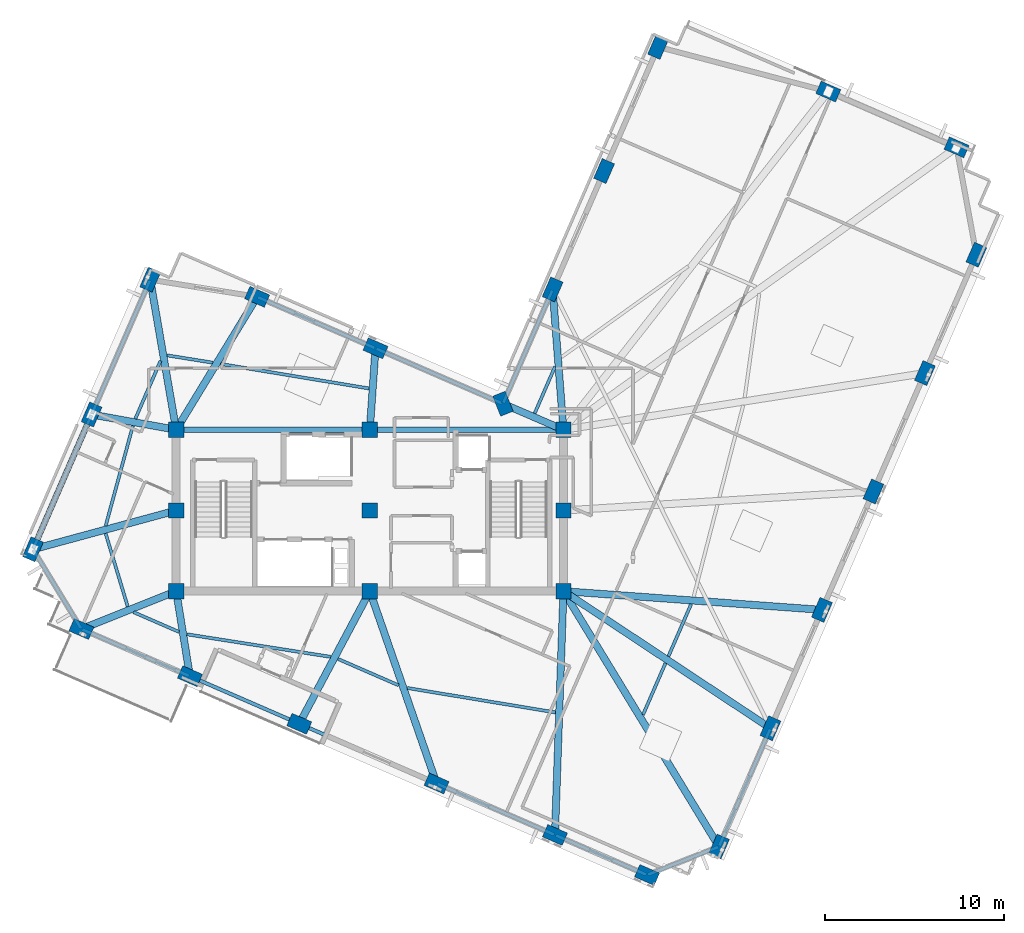
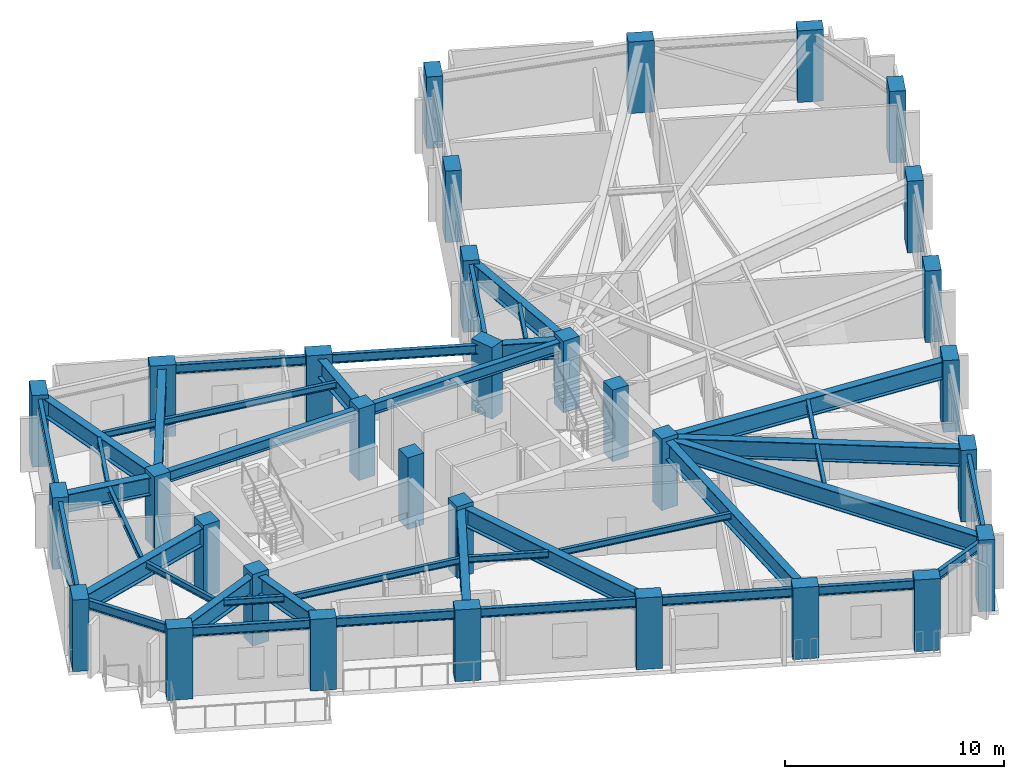
# One storey, part 1 of 12: 42 beams, 32 columns, 1 member.
"""IFC4 building model written with IfcOpenShell, lengths in metres."""

from ifc_helpers import new_model, si_unit, direction, frame, origin, origin_2d, place, context, subcontext, project, spatial, rectangle, hollow_circle, i_section, extrude, material, material_profile, profile_set, type_object, element, save


model = new_model("IFC4")

# Units and contexts
model_context = context("Model", 3, precision=1e-05, world=origin(), true_north=direction((0.0, 1.0)))
body_context = subcontext(model_context, "Body", "Model", "MODEL_VIEW")
ifc_project = project(units=[si_unit("LENGTHUNIT", "METRE"), si_unit("AREAUNIT", "SQUARE_METRE"), si_unit("VOLUMEUNIT", "CUBIC_METRE"), si_unit("PLANEANGLEUNIT", "RADIAN"), si_unit("MASSUNIT", "GRAM", prefix="KILO")], contexts=[model_context])

# Site, building, storey
site_placement = place(None, origin())
site = spatial("IfcSite", under=ifc_project, at=site_placement, CompositionType="ELEMENT")
building_placement = place(site_placement, origin())
building = spatial("IfcBuilding", under=site, at=building_placement, Name="Gaonmaruhae Medical Tower", CompositionType="ELEMENT")
storey_placement = place(building_placement, frame((0.0, 0.0, 316.60009765625)))
storey = spatial("IfcBuildingStorey", under=building, at=storey_placement, Name="L76", CompositionType="ELEMENT", Elevation=316.60009765625)

# Columns
ifc_material_1 = material(Name="Concrete C50/60", Category="concrete")
ifc_material_profile_1 = material_profile(ifc_material_1, rectangle(XDim=0.85009765625, YDim=0.85009765625, at=origin_2d()), Name="RC-850x850")
ifc_profile_set_1 = profile_set([ifc_material_profile_1], Name="Concrete C50/60")
column_type_1 = type_object("IfcColumnType", Name="CC-06 Upper Core Column (RC-850x850)", PredefinedType="COLUMN", material=ifc_profile_set_1)
for number, where, z_axis, x_axis, name in (
    (1, (14.0, 7.800048828125, 0.0), (0.0, 0.0, 1.0), (1.0, 0.0, 0.0), "L76 Plumb Core Column CC11"),
    (2, (14.0, 12.300048828125, 0.0), (0.0, 0.0, 1.0), (1.0, 0.0, 0.0), "L76 Plumb Core Column CC12"),
    (3, (14.0, 16.800048828125, 0.0), (0.0, 0.0, 1.0), (1.0, 0.0, 0.0), "L76 Plumb Core Column CC13"),
    (4, (24.800048828125, 7.800048828125, 0.0), (0.0, 0.0, 1.0), (1.0, 0.0, 0.0), "L76 Plumb Core Column CC21"),
    (5, (24.800048828125, 12.300048828125, 0.0), (0.0, 0.0, 1.0), (1.0, 0.0, 0.0), "L76 Plumb Core Column CC22"),
    (6, (24.800048828125, 16.800048828125, 0.0), (0.0, 0.0, 1.0), (1.0, 0.0, 0.0), "L76 Plumb Core Column CC23"),
    (7, (35.60009765625, 7.800048828125, 0.0), (0.0, 0.0, 1.0), (1.0, 0.0, 0.0), "L76 Plumb Core Column CC31"),
    (8, (35.60009765625, 12.300048828125, 0.0), (0.0, 0.0, 1.0), (1.0, 0.0, 0.0), "L76 Plumb Core Column CC32"),
    (9, (35.60009765625, 16.800048828125, 0.0), (0.0, 0.0, 1.0), (1.0, 0.0, 0.0), "L76 Plumb Core Column CC33"),
):
    element("IfcColumn", number, at=place(storey_placement, frame(where, z_axis=z_axis, x_axis=x_axis)), inside=storey, type_object=column_type_1, Name=name, PredefinedType="COLUMN", context=body_context, shape_type="SweptSolid", body=[
        extrude(rectangle(XDim=0.85009765625, YDim=0.85009765625, at=origin_2d()), origin(), (0.0, 0.0, 1.0), 4.0),
    ])
ifc_material_profile_2 = material_profile(ifc_material_1, rectangle(XDim=1.199951171875, YDim=0.75, at=origin_2d()), Name="RC-1200x750")
ifc_profile_set_2 = profile_set([ifc_material_profile_2], Name="Concrete C50/60")
column_type_2 = type_object("IfcColumnType", Name="TC-03 Upper Raking Tube Pier Column (RC-1200x750)", PredefinedType="COLUMN", material=ifc_profile_set_2)
for number, where, z_axis, x_axis, name in (
    (10, (44.275146484375, -6.448486328125, 0.001708984375), (0.0, 0.0, 1.0), (0.398749068925, 0.917060074385, 0.0), "L76 Perimeter Tube Column S01"),
    (11, (47.14599609375, 0.154296875, 0.001708984375), (0.0, 0.0, 1.0), (0.398749068925, 0.917060074385, 0.0), "L76 Perimeter Tube Column S02"),
    (12, (50.01708984375, 6.75732421875, 0.001708984375), (0.0, 0.0, 1.0), (0.398749068925, 0.917060074385, 0.0), "L76 Perimeter Tube Column S03"),
    (13, (52.88818359375, 13.360107421875, 0.001708984375), (0.0, 0.0, 1.0), (0.398749068925, 0.917060074385, 0.0), "L76 Perimeter Tube Column S04"),
    (14, (55.759033203125, 19.962890625, 0.001708984375), (0.0, 0.0, 1.0), (0.398749068925, 0.917060074385, 0.0), "L76 Perimeter Tube Column S05"),
    (15, (58.630126953125, 26.565673828125, 0.001708984375), (0.0, 0.0, 1.0), (0.398749068925, 0.917060074385, 0.0), "L76 Perimeter Tube Column S06"),
    (16, (57.525634765625, 32.552734375, 0.001708984375), (0.0, 0.0, 1.0), (-0.917060074385, 0.398749068925, 0.0), "L76 Perimeter Tube Column E01"),
    (17, (50.372802734375, 35.662841796875, 0.001708984375), (0.0, 0.0, 1.0), (-0.917060074385, 0.398749068925, 0.0), "L76 Perimeter Tube Column E02"),
    (18, (40.879150390625, 38.155029296875, 0.001708984375), (0.0, 0.0, 1.0), (0.398749068925, 0.917060074385, 0.0), "L76 Perimeter Tube Column E03"),
    (19, (37.868408203125, 31.2314453125, 0.001708984375), (0.0, 0.0, 1.0), (0.398749068925, 0.917060074385, 0.0), "L76 Perimeter Tube Column EN01"),
    (20, (34.99755859375, 24.62841796875, 0.001708984375), (0.0, 0.0, 1.0), (0.398749068925, 0.917060074385, 0.0), "L76 Perimeter Tube Column EN02"),
    (21, (32.226318359375, 18.2548828125, 0.001708984375), (0.0, 0.0, 1.0), (-0.366501226724, 0.930417567982, 0.0), "L76 Perimeter Tube Column KN01"),
    (22, (25.118896484375, 21.34521484375, 0.001708984375), (0.0, 0.0, 1.0), (-0.917060074385, 0.398749068925, 0.0), "L76 Perimeter Tube Column NE01"),
    (23, (18.51611328125, 24.21630859375, 0.001708984375), (0.0, 0.0, 1.0), (-0.917060074385, 0.398749068925, 0.0), "L76 Perimeter Tube Column NE02"),
    (24, (12.55322265625, 25.17333984375, 0.001708984375), (0.0, 0.0, 1.0), (0.398749068925, 0.917060074385, 0.0), "L76 Perimeter Tube Column N01"),
    (25, (9.283447265625, 17.653564453125, 0.001708984375), (0.0, 0.0, 1.0), (0.398749068925, 0.917060074385, 0.0), "L76 Perimeter Tube Column N02"),
    (26, (6.013671875, 10.133544921875, 0.001708984375), (0.0, 0.0, 1.0), (0.398749068925, 0.917060074385, 0.0), "L76 Perimeter Tube Column N03"),
    (27, (8.715087890625, 5.687744140625, 0.001708984375), (0.0, 0.0, 1.0), (-0.917060074385, 0.398749068925, 0.0), "L76 Perimeter Tube Column W01"),
    (28, (14.767578125, 3.055908203125, 0.001708984375), (0.0, 0.0, 1.0), (-0.917060074385, 0.398749068925, 0.0), "L76 Perimeter Tube Column W02"),
    (29, (20.865966796875, 0.404296875, 0.001708984375), (0.0, 0.0, 1.0), (-0.917060074385, 0.398749068925, 0.0), "L76 Perimeter Tube Column W03"),
    (30, (28.5234375, -2.92529296875, 0.001708984375), (0.0, 0.0, 1.0), (-0.917060074385, 0.398749068925, 0.0), "L76 Perimeter Tube Column W04"),
    (31, (35.12646484375, -5.79638671875, 0.001708984375), (0.0, 0.0, 1.0), (-0.917060074385, 0.398749068925, 0.0), "L76 Perimeter Tube Column W05"),
    (32, (40.261962890625, -8.029296875, 0.001708984375), (0.0, 0.0, 1.0), (-0.917060074385, 0.398749068925, 0.0), "L76 Perimeter Tube Column W06"),
):
    element("IfcColumn", number, at=place(storey_placement, frame(where, z_axis=z_axis, x_axis=x_axis)), inside=storey, type_object=column_type_2, Name=name, PredefinedType="COLUMN", context=body_context, shape_type="SweptSolid", body=[
        extrude(rectangle(XDim=1.199951171875, YDim=0.75, at=origin_2d()), origin(), (0.0, 0.0, 1.0), 3.996337890625),
    ])

# Beams
ifc_material_2 = material(Name="Steel SM420", Category="steel")
ifc_material_profile_3 = material_profile(ifc_material_2, i_section(OverallWidth=0.39990234375, OverallDepth=1.0, WebThickness=0.02197265625, FlangeThickness=0.035888671875, at=origin_2d()), Name="BH-1000x400x22x36")
ifc_profile_set_3 = profile_set([ifc_material_profile_3], Name="Steel SM420")
beam_type_1 = type_object("IfcBeamType", Name="BG-02 Refuge Floor Primary Girder (BH-1000x400x22x36)", PredefinedType="BEAM", material=ifc_profile_set_3)
beam_1_placement = place(storey_placement, frame((35.6259765625, 7.75732421875, 3.27978515625), z_axis=(0.520036625826, -0.854143961988, 0.0), x_axis=(0.854143961988, 0.520036625826, 0.0)))
element("IfcBeam", 33, at=beam_1_placement, inside=storey, type_object=beam_type_1, Name="L76 Radial Primary Girder S01", PredefinedType="BEAM", context=body_context, shape_type="SweptSolid", body=[
    extrude(i_section(OverallWidth=0.39990234375, OverallDepth=1.0, WebThickness=0.02197265625, FlangeThickness=0.035888671875, at=origin_2d()), origin(), (0.0, 0.0, 1.0), 16.58154296875),
])
beam_2_placement = place(storey_placement, frame((35.6416015625, 7.7724609375, 3.27978515625), z_axis=(0.833770161097, -0.552111690208, 0.0), x_axis=(0.552111690208, 0.833770161097, 0.0)))
element("IfcBeam", 34, at=beam_2_placement, inside=storey, type_object=beam_type_1, Name="L76 Radial Primary Girder S02", PredefinedType="BEAM", context=body_context, shape_type="SweptSolid", body=[
    extrude(i_section(OverallWidth=0.39990234375, OverallDepth=1.0, WebThickness=0.02197265625, FlangeThickness=0.035888671875, at=origin_2d()), origin(), (0.0, 0.0, 1.0), 13.748291015625),
])
beam_3_placement = place(storey_placement, frame((35.64990234375, 7.79638671875, 3.260009765625), z_axis=(0.997394062708, -0.072146265841, 0.0), x_axis=(0.072146265841, 0.997394062708, 0.0)))
element("IfcBeam", 35, at=beam_3_placement, inside=storey, type_object=beam_type_1, Name="L76 Radial Primary Girder S03", PredefinedType="BEAM", context=body_context, shape_type="SweptSolid", body=[
    extrude(i_section(OverallWidth=0.39990234375, OverallDepth=1.0, WebThickness=0.02197265625, FlangeThickness=0.035888671875, at=origin_2d()), origin(), (0.0, 0.0, 1.0), 14.354736328125),
])
beam_4_placement = place(storey_placement, frame((35.59619140625, 16.849853515625, 3.27978515625), z_axis=(-0.076722992115, 0.997052447207, 0.0), x_axis=(-0.997052447207, -0.076722992115, 0.0)))
element("IfcBeam", 36, at=beam_4_placement, inside=storey, type_object=beam_type_1, Name="L76 Radial Primary Girder EN02", PredefinedType="BEAM", context=body_context, shape_type="SweptSolid", body=[
    extrude(i_section(OverallWidth=0.39990234375, OverallDepth=1.0, WebThickness=0.02197265625, FlangeThickness=0.035888671875, at=origin_2d()), origin(), (0.0, 0.0, 1.0), 7.751708984375),
])
beam_5_placement = place(storey_placement, frame((35.55419921875, 16.81982421875, 3.27978515625), z_axis=(-0.918259431029, 0.395979314266, 0.0), x_axis=(-0.395979314266, -0.918259431029, 0.0)))
element("IfcBeam", 37, at=beam_5_placement, inside=storey, type_object=beam_type_1, Name="L76 Radial Primary Girder KN01", PredefinedType="BEAM", context=body_context, shape_type="SweptSolid", body=[
    extrude(i_section(OverallWidth=0.39990234375, OverallDepth=1.0, WebThickness=0.02197265625, FlangeThickness=0.035888671875, at=origin_2d()), origin(), (0.0, 0.0, 1.0), 3.57421875),
])
beam_6_placement = place(storey_placement, frame((24.803466796875, 16.849853515625, 3.27978515625), z_axis=(0.070012845455, 0.997546089898, 0.0), x_axis=(-0.997546089898, 0.070012845455, 0.0)))
element("IfcBeam", 38, at=beam_6_placement, inside=storey, type_object=beam_type_1, Name="L76 Radial Primary Girder NE01", PredefinedType="BEAM", context=body_context, shape_type="SweptSolid", body=[
    extrude(i_section(OverallWidth=0.39990234375, OverallDepth=1.0, WebThickness=0.02197265625, FlangeThickness=0.035888671875, at=origin_2d()), origin(), (0.0, 0.0, 1.0), 4.45654296875),
])
beam_7_placement = place(storey_placement, frame((14.026123046875, 16.8427734375, 3.27978515625), z_axis=(0.520106658264, 0.854101319534, 0.0), x_axis=(-0.854101319534, 0.520106658264, 0.0)))
element("IfcBeam", 39, at=beam_7_placement, inside=storey, type_object=beam_type_1, Name="L76 Radial Primary Girder NE02", PredefinedType="BEAM", context=body_context, shape_type="SweptSolid", body=[
    extrude(i_section(OverallWidth=0.39990234375, OverallDepth=1.0, WebThickness=0.02197265625, FlangeThickness=0.035888671875, at=origin_2d()), origin(), (0.0, 0.0, 1.0), 8.5830078125),
])
beam_8_placement = place(storey_placement, frame((13.991455078125, 16.849365234375, 3.27978515625), z_axis=(-0.170256429826, 0.985399791, 0.0), x_axis=(-0.985399791, -0.170256429826, 0.0)))
element("IfcBeam", 40, at=beam_8_placement, inside=storey, type_object=beam_type_1, Name="L76 Radial Primary Girder N01", PredefinedType="BEAM", context=body_context, shape_type="SweptSolid", body=[
    extrude(i_section(OverallWidth=0.39990234375, OverallDepth=1.0, WebThickness=0.02197265625, FlangeThickness=0.035888671875, at=origin_2d()), origin(), (0.0, 0.0, 1.0), 8.397216796875),
])
beam_9_placement = place(storey_placement, frame((13.95068359375, 16.808837890625, 3.27978515625), z_axis=(-0.984016905829, 0.17807506575, 0.0), x_axis=(-0.17807506575, -0.984016905829, 0.0)))
element("IfcBeam", 41, at=beam_9_placement, inside=storey, type_object=beam_type_1, Name="L76 Radial Primary Girder N02", PredefinedType="BEAM", context=body_context, shape_type="SweptSolid", body=[
    extrude(i_section(OverallWidth=0.39990234375, OverallDepth=1.0, WebThickness=0.02197265625, FlangeThickness=0.035888671875, at=origin_2d()), origin(), (0.0, 0.0, 1.0), 4.69287109375),
])
beam_10_placement = place(storey_placement, frame((13.95166015625, 12.286865234375, 3.27978515625), z_axis=(-0.965122679795, -0.261798038467, 0.0), x_axis=(0.261798038467, -0.965122679795, 0.0)))
element("IfcBeam", 42, at=beam_10_placement, inside=storey, type_object=beam_type_1, Name="L76 Radial Primary Girder N03", PredefinedType="BEAM", context=body_context, shape_type="SweptSolid", body=[
    extrude(i_section(OverallWidth=0.39990234375, OverallDepth=1.0, WebThickness=0.02197265625, FlangeThickness=0.035888671875, at=origin_2d()), origin(), (0.0, 0.0, 1.0), 8.1748046875),
])
beam_11_placement = place(storey_placement, frame((13.95361328125, 7.781494140625, 3.27978515625), z_axis=(-0.928579037594, -0.371134707272, 0.0), x_axis=(0.371134707272, -0.928579037594, 0.0)))
element("IfcBeam", 43, at=beam_11_placement, inside=storey, type_object=beam_type_1, Name="L76 Radial Primary Girder W01", PredefinedType="BEAM", context=body_context, shape_type="SweptSolid", body=[
    extrude(i_section(OverallWidth=0.39990234375, OverallDepth=1.0, WebThickness=0.02197265625, FlangeThickness=0.035888671875, at=origin_2d()), origin(), (0.0, 0.0, 1.0), 5.591552734375),
])
beam_12_placement = place(storey_placement, frame((14.008056640625, 7.750732421875, 3.27978515625), z_axis=(0.159685869984, -0.987167879809, 0.0), x_axis=(0.987167879809, 0.159685869984, 0.0)))
element("IfcBeam", 44, at=beam_12_placement, inside=storey, type_object=beam_type_1, Name="L76 Radial Primary Girder W02", PredefinedType="BEAM", context=body_context, shape_type="SweptSolid", body=[
    extrude(i_section(OverallWidth=0.39990234375, OverallDepth=1.0, WebThickness=0.02197265625, FlangeThickness=0.035888671875, at=origin_2d()), origin(), (0.0, 0.0, 1.0), 4.705810546875),
])
beam_13_placement = place(storey_placement, frame((24.776611328125, 7.755859375, 3.27978515625), z_axis=(-0.469618843189, -0.882869266722, 0.0), x_axis=(0.882869266722, -0.469618843189, 0.0)))
element("IfcBeam", 45, at=beam_13_placement, inside=storey, type_object=beam_type_1, Name="L76 Radial Primary Girder W03", PredefinedType="BEAM", context=body_context, shape_type="SweptSolid", body=[
    extrude(i_section(OverallWidth=0.39990234375, OverallDepth=1.0, WebThickness=0.02197265625, FlangeThickness=0.035888671875, at=origin_2d()), origin(), (0.0, 0.0, 1.0), 8.27685546875),
])
beam_14_placement = place(storey_placement, frame((24.81640625, 7.752685546875, 3.27978515625), z_axis=(0.327964362011, -0.944690095878, 0.0), x_axis=(0.944690095878, 0.327964362011, 0.0)))
element("IfcBeam", 46, at=beam_14_placement, inside=storey, type_object=beam_type_1, Name="L76 Radial Primary Girder W04", PredefinedType="BEAM", context=body_context, shape_type="SweptSolid", body=[
    extrude(i_section(OverallWidth=0.39990234375, OverallDepth=1.0, WebThickness=0.02197265625, FlangeThickness=0.035888671875, at=origin_2d()), origin(), (0.0, 0.0, 1.0), 11.253173828125),
])
beam_15_placement = place(storey_placement, frame((35.59814453125, 7.75, 3.27978515625), z_axis=(-0.034800997703, -0.99939426182, 0.0), x_axis=(0.99939426182, -0.034800997703, 0.0)))
element("IfcBeam", 47, at=beam_15_placement, inside=storey, type_object=beam_type_1, Name="L76 Radial Primary Girder W05", PredefinedType="BEAM", context=body_context, shape_type="SweptSolid", body=[
    extrude(i_section(OverallWidth=0.39990234375, OverallDepth=1.0, WebThickness=0.02197265625, FlangeThickness=0.035888671875, at=origin_2d()), origin(), (0.0, 0.0, 1.0), 13.504638671875),
])
ifc_material_3 = material(Name="Steel SM355", Category="steel")
ifc_material_profile_4 = material_profile(ifc_material_3, i_section(OverallWidth=0.175048828125, OverallDepth=0.35009765625, WebThickness=0.007080078125, FlangeThickness=0.010986328125, FilletRadius=0.012939453125, at=origin_2d()), Name="H-350x175x7x11")
ifc_profile_set_4 = profile_set([ifc_material_profile_4], Name="Steel SM355")
beam_type_2 = type_object("IfcBeamType", Name="FJ-02 Upper Zone Ward Floor Joist (H-350x175x7x11)", PredefinedType="JOIST", material=ifc_profile_set_4)
beam_16_placement = place(storey_placement, frame((40.03759765625, 0.905517578125, 3.60498046875), z_axis=(0.39874601067, 0.917061404146, 0.0), x_axis=(-0.917061404146, 0.39874601067, 0.0)))
element("IfcBeam", 48, at=beam_16_placement, inside=storey, type_object=beam_type_2, Name="L76 Secondary Floor Joist FJ01", PredefinedType="JOIST", context=body_context, shape_type="SweptSolid", body=[
    extrude(i_section(OverallWidth=0.175048828125, OverallDepth=0.35009765625, WebThickness=0.007080078125, FlangeThickness=0.010986328125, FilletRadius=0.012939453125, at=origin_2d()), origin(), (0.0, 0.0, 1.0), 3.140380859375),
])
beam_17_placement = place(storey_placement, frame((41.45654296875, 4.1689453125, 3.60498046875), z_axis=(0.398742993355, 0.917062716094, 0.0), x_axis=(-0.917062716094, 0.398742993355, 0.0)))
element("IfcBeam", 49, at=beam_17_placement, inside=storey, type_object=beam_type_2, Name="L76 Secondary Floor Joist FJ02", PredefinedType="JOIST", context=body_context, shape_type="SweptSolid", body=[
    extrude(i_section(OverallWidth=0.175048828125, OverallDepth=0.35009765625, WebThickness=0.007080078125, FlangeThickness=0.010986328125, FilletRadius=0.012939453125, at=origin_2d()), origin(), (0.0, 0.0, 1.0), 3.1728515625),
])
beam_18_placement = place(storey_placement, frame((35.1259765625, 20.31689453125, 3.60498046875), z_axis=(-0.398704074368, -0.917079637263, 0.0), x_axis=(0.917079637263, -0.398704074368, 0.0)))
element("IfcBeam", 50, at=beam_18_placement, inside=storey, type_object=beam_type_2, Name="L76 Secondary Floor Joist FJ08", PredefinedType="JOIST", context=body_context, shape_type="SweptSolid", body=[
    extrude(i_section(OverallWidth=0.175048828125, OverallDepth=0.35009765625, WebThickness=0.007080078125, FlangeThickness=0.010986328125, FilletRadius=0.012939453125, at=origin_2d()), origin(), (0.0, 0.0, 1.0), 2.835693359375),
])
beam_19_placement = place(storey_placement, frame((24.75537109375, 19.106201171875, 3.60498046875), z_axis=(-0.986663894193, 0.162770881598, 0.0), x_axis=(-0.162770881598, -0.986663894193, 0.0)))
element("IfcBeam", 51, at=beam_19_placement, inside=storey, type_object=beam_type_2, Name="L76 Secondary Floor Joist FJ10", PredefinedType="JOIST", context=body_context, shape_type="SweptSolid", body=[
    extrude(i_section(OverallWidth=0.175048828125, OverallDepth=0.35009765625, WebThickness=0.007080078125, FlangeThickness=0.010986328125, FilletRadius=0.012939453125, at=origin_2d()), origin(), (0.0, 0.0, 1.0), 8.390380859375),
])
beam_20_placement = place(storey_placement, frame((16.038818359375, 20.543212890625, 3.60498046875), z_axis=(-0.987360795074, 0.158488675779, 0.0), x_axis=(-0.158488675779, -0.987360795074, 0.0)))
element("IfcBeam", 52, at=beam_20_placement, inside=storey, type_object=beam_type_2, Name="L76 Secondary Floor Joist FJ11", PredefinedType="JOIST", context=body_context, shape_type="SweptSolid", body=[
    extrude(i_section(OverallWidth=0.175048828125, OverallDepth=0.35009765625, WebThickness=0.007080078125, FlangeThickness=0.010986328125, FilletRadius=0.012939453125, at=origin_2d()), origin(), (0.0, 0.0, 1.0), 2.580322265625),
])
beam_21_placement = place(storey_placement, frame((13.12890625, 20.64697265625, 3.60498046875), z_axis=(-0.398746411425, -0.917061229895, 0.0), x_axis=(0.917061229895, -0.398746411425, 0.0)))
element("IfcBeam", 53, at=beam_21_placement, inside=storey, type_object=beam_type_2, Name="L76 Secondary Floor Joist FJ12", PredefinedType="JOIST", context=body_context, shape_type="SweptSolid", body=[
    extrude(i_section(OverallWidth=0.175048828125, OverallDepth=0.35009765625, WebThickness=0.007080078125, FlangeThickness=0.010986328125, FilletRadius=0.012939453125, at=origin_2d()), origin(), (0.0, 0.0, 1.0), 3.51806640625),
])
beam_22_placement = place(storey_placement, frame((11.58740234375, 17.027099609375, 3.60498046875), z_axis=(-0.262477989376, -0.964937979921, 0.0), x_axis=(0.964937979921, -0.262477989376, 0.0)))
element("IfcBeam", 54, at=beam_22_placement, inside=storey, type_object=beam_type_2, Name="L76 Secondary Floor Joist FJ13", PredefinedType="JOIST", context=body_context, shape_type="SweptSolid", body=[
    extrude(i_section(OverallWidth=0.175048828125, OverallDepth=0.35009765625, WebThickness=0.007080078125, FlangeThickness=0.010986328125, FilletRadius=0.012939453125, at=origin_2d()), origin(), (0.0, 0.0, 1.0), 5.78369140625),
])
beam_23_placement = place(storey_placement, frame((10.06640625, 11.01953125, 3.60498046875), z_axis=(0.289103701868, -0.957297785209, 0.0), x_axis=(0.957297785209, 0.289103701868, 0.0)))
element("IfcBeam", 55, at=beam_23_placement, inside=storey, type_object=beam_type_2, Name="L76 Secondary Floor Joist FJ14", PredefinedType="JOIST", context=body_context, shape_type="SweptSolid", body=[
    extrude(i_section(OverallWidth=0.175048828125, OverallDepth=0.35009765625, WebThickness=0.007080078125, FlangeThickness=0.010986328125, FilletRadius=0.012939453125, at=origin_2d()), origin(), (0.0, 0.0, 1.0), 4.259521484375),
])
beam_24_placement = place(storey_placement, frame((11.62109375, 6.629150390625, 3.60498046875), z_axis=(0.917075663277, -0.398713215012, 0.0), x_axis=(0.398713215012, 0.917075663277, 0.0)))
element("IfcBeam", 56, at=beam_24_placement, inside=storey, type_object=beam_type_2, Name="L76 Secondary Floor Joist FJ15", PredefinedType="JOIST", context=body_context, shape_type="SweptSolid", body=[
    extrude(i_section(OverallWidth=0.175048828125, OverallDepth=0.35009765625, WebThickness=0.007080078125, FlangeThickness=0.010986328125, FilletRadius=0.012939453125, at=origin_2d()), origin(), (0.0, 0.0, 1.0), 2.768798828125),
])
beam_25_placement = place(storey_placement, frame((14.59765625, 5.39453125, 3.60498046875), z_axis=(0.9879068852, -0.15504833496, 0.0), x_axis=(0.15504833496, 0.9879068852, 0.0)))
element("IfcBeam", 57, at=beam_25_placement, inside=storey, type_object=beam_type_2, Name="L76 Secondary Floor Joist FJ16", PredefinedType="JOIST", context=body_context, shape_type="SweptSolid", body=[
    extrude(i_section(OverallWidth=0.175048828125, OverallDepth=0.35009765625, WebThickness=0.007080078125, FlangeThickness=0.010986328125, FilletRadius=0.012939453125, at=origin_2d()), origin(), (0.0, 0.0, 1.0), 8.11865234375),
])
beam_26_placement = place(storey_placement, frame((23.0224609375, 4.019775390625, 3.60498046875), z_axis=(0.91705533197, -0.398759975555, 0.0), x_axis=(0.398759975555, 0.91705533197, 0.0)))
element("IfcBeam", 58, at=beam_26_placement, inside=storey, type_object=beam_type_2, Name="L76 Secondary Floor Joist FJ17", PredefinedType="JOIST", context=body_context, shape_type="SweptSolid", body=[
    extrude(i_section(OverallWidth=0.175048828125, OverallDepth=0.35009765625, WebThickness=0.007080078125, FlangeThickness=0.010986328125, FilletRadius=0.012939453125, at=origin_2d()), origin(), (0.0, 0.0, 1.0), 3.690673828125),
])
beam_27_placement = place(storey_placement, frame((26.892333984375, 2.3994140625, 3.60498046875), z_axis=(0.986661186603, -0.162787293274, 0.0), x_axis=(0.162787293274, 0.986661186603, 0.0)))
element("IfcBeam", 59, at=beam_27_placement, inside=storey, type_object=beam_type_2, Name="L76 Secondary Floor Joist FJ18", PredefinedType="JOIST", context=body_context, shape_type="SweptSolid", body=[
    extrude(i_section(OverallWidth=0.175048828125, OverallDepth=0.35009765625, WebThickness=0.007080078125, FlangeThickness=0.010986328125, FilletRadius=0.012939453125, at=origin_2d()), origin(), (0.0, 0.0, 1.0), 8.377685546875),
])

# Member
ifc_material_profile_5 = material_profile(ifc_material_3, hollow_circle(Radius=0.1591796875, WallThickness=0.01025390625, at=origin_2d()), Name="CHS-318.5x10.3")
ifc_profile_set_5 = profile_set([ifc_material_profile_5], Name="Steel SM355")
member_type = type_object("IfcMemberType", Name="PB-03 Perimeter Solid-Bay Tube Brace Upper (CHS-318.5x10.3)", PredefinedType="BRACE", material=ifc_profile_set_5)
member_placement = place(storey_placement, frame((9.283447265625, 17.653564453125, 0.25), z_axis=(-0.370231257268, -0.851479368802, 0.371364646467), x_axis=(0.917061062653, -0.398746796056, 0.0)))
element("IfcMember", 60, at=member_placement, inside=storey, type_object=member_type, Name="L76 Perimeter Tube Solid-Bay Brace N02-N03", PredefinedType="BRACE", context=body_context, shape_type="SweptSolid", body=[
    extrude(hollow_circle(Radius=0.1591796875, WallThickness=0.01025390625, at=origin_2d()), origin(), (0.0, 0.0, 1.0), 8.831787109375),
])

# Beams
ifc_material_profile_6 = material_profile(ifc_material_2, i_section(OverallWidth=0.300048828125, OverallDepth=0.60009765625, WebThickness=0.011962890625, FlangeThickness=0.02001953125, FilletRadius=0.012939453125, at=origin_2d()), Name="H-600x300x12x20")
ifc_profile_set_6 = profile_set([ifc_material_profile_6], Name="Steel SM420")
beam_type_3 = type_object("IfcBeamType", Name="PG-04 Zone 4 Radial Floor Girder (H-600x300x12x20)", PredefinedType="BEAM", material=ifc_profile_set_6)
for number, where, z_axis, x_axis, name in (
    (61, (14.050048828125, 16.800048828125, 3.47998046875), (1.0, 0.0, 0.0), (0.0, 1.0, 0.0), "L76 Beam BM-L76-CG-N1"),
    (62, (24.85009765625, 16.800048828125, 3.47998046875), (1.0, 0.0, 0.0), (0.0, 1.0, 0.0), "L76 Beam BM-L76-CG-N2"),
):
    element("IfcBeam", number, at=place(storey_placement, frame(where, z_axis=z_axis, x_axis=x_axis)), inside=storey, type_object=beam_type_3, Name=name, PredefinedType="BEAM", context=body_context, shape_type="SweptSolid", body=[
        extrude(i_section(OverallWidth=0.300048828125, OverallDepth=0.60009765625, WebThickness=0.011962890625, FlangeThickness=0.02001953125, FilletRadius=0.012939453125, at=origin_2d()), origin(), (0.0, 0.0, 1.0), 10.699951171875),
    ])
ifc_material_profile_7 = material_profile(ifc_material_3, i_section(OverallWidth=0.199951171875, OverallDepth=0.5, WebThickness=0.010009765625, FlangeThickness=0.01611328125, FilletRadius=0.012939453125, at=origin_2d()), Name="H-500x200x10x16")
ifc_profile_set_7 = profile_set([ifc_material_profile_7], Name="Steel SM355")
beam_type_4 = type_object("IfcBeamType", Name="SP-02 Upper Perimeter Spandrel Beam (H-500x200x10x16)", PredefinedType="SPANDREL", material=ifc_profile_set_7)
beam_28_placement = place(storey_placement, frame((44.291015625, -6.411865234375, 3.52978515625), z_axis=(0.398747426125, 0.917060788693, 0.0), x_axis=(-0.917060788693, 0.398747426125, 0.0)))
element("IfcBeam", 63, at=beam_28_placement, inside=storey, type_object=beam_type_4, Name="L76 Perimeter Spandrel Beam S01-S02", PredefinedType="SPANDREL", context=body_context, shape_type="SweptSolid", body=[
    extrude(i_section(OverallWidth=0.199951171875, OverallDepth=0.5, WebThickness=0.010009765625, FlangeThickness=0.01611328125, FilletRadius=0.012939453125, at=origin_2d()), origin(), (0.0, 0.0, 1.0), 7.1201171875),
])
beam_29_placement = place(storey_placement, frame((34.981689453125, 24.591796875, 3.52978515625), z_axis=(-0.398768993563, -0.917051410649, 0.0), x_axis=(0.917051410649, -0.398768993563, 0.0)))
element("IfcBeam", 64, at=beam_29_placement, inside=storey, type_object=beam_type_4, Name="L76 Perimeter Spandrel Beam EN02-KN01", PredefinedType="SPANDREL", context=body_context, shape_type="SweptSolid", body=[
    extrude(i_section(OverallWidth=0.199951171875, OverallDepth=0.5, WebThickness=0.010009765625, FlangeThickness=0.01611328125, FilletRadius=0.012939453125, at=origin_2d()), origin(), (0.0, 0.0, 1.0), 6.869873046875),
])
beam_30_placement = place(storey_placement, frame((32.189453125, 18.27099609375, 3.52978515625), z_axis=(-0.917059428629, 0.398750554059, 0.0), x_axis=(-0.398750554059, -0.917059428629, 0.0)))
element("IfcBeam", 65, at=beam_30_placement, inside=storey, type_object=beam_type_4, Name="L76 Perimeter Spandrel Beam KN01-NE01", PredefinedType="SPANDREL", context=body_context, shape_type="SweptSolid", body=[
    extrude(i_section(OverallWidth=0.199951171875, OverallDepth=0.5, WebThickness=0.010009765625, FlangeThickness=0.01611328125, FilletRadius=0.012939453125, at=origin_2d()), origin(), (0.0, 0.0, 1.0), 7.669921875),
])
beam_31_placement = place(storey_placement, frame((25.082275390625, 21.361083984375, 3.52978515625), z_axis=(-0.917055336493, 0.398759965154, 0.0), x_axis=(-0.398759965154, -0.917055336493, 0.0)))
element("IfcBeam", 66, at=beam_31_placement, inside=storey, type_object=beam_type_4, Name="L76 Perimeter Spandrel Beam NE01-NE02", PredefinedType="SPANDREL", context=body_context, shape_type="SweptSolid", body=[
    extrude(i_section(OverallWidth=0.199951171875, OverallDepth=0.5, WebThickness=0.010009765625, FlangeThickness=0.01611328125, FilletRadius=0.012939453125, at=origin_2d()), origin(), (0.0, 0.0, 1.0), 7.119873046875),
])
for number, where, z_axis, x_axis, name in (
    (67, (12.537353515625, 25.13671875, 3.52978515625), (-0.398743701995, -0.917062407974, 0.0), (0.917062407974, -0.398743701995, 0.0), "L76 Perimeter Spandrel Beam N01-N02"),
    (68, (9.267578125, 17.61669921875, 3.52978515625), (-0.398743701995, -0.917062407974, 0.0), (0.917062407974, -0.398743701995, 0.0), "L76 Perimeter Spandrel Beam N02-N03"),
):
    element("IfcBeam", number, at=place(storey_placement, frame(where, z_axis=z_axis, x_axis=x_axis)), inside=storey, type_object=beam_type_4, Name=name, PredefinedType="SPANDREL", context=body_context, shape_type="SweptSolid", body=[
        extrude(i_section(OverallWidth=0.199951171875, OverallDepth=0.5, WebThickness=0.010009765625, FlangeThickness=0.01611328125, FilletRadius=0.012939453125, at=origin_2d()), origin(), (0.0, 0.0, 1.0), 8.119873046875),
    ])
beam_32_placement = place(storey_placement, frame((6.034423828125, 10.099365234375, 3.52978515625), z_axis=(0.519289042516, -0.854598672081, 0.0), x_axis=(0.854598672081, 0.519289042516, 0.0)))
element("IfcBeam", 69, at=beam_32_placement, inside=storey, type_object=beam_type_4, Name="L76 Perimeter Spandrel Beam N03-W01", PredefinedType="SPANDREL", context=body_context, shape_type="SweptSolid", body=[
    extrude(i_section(OverallWidth=0.199951171875, OverallDepth=0.5, WebThickness=0.010009765625, FlangeThickness=0.01611328125, FilletRadius=0.012939453125, at=origin_2d()), origin(), (0.0, 0.0, 1.0), 5.122314453125),
])
beam_33_placement = place(storey_placement, frame((8.751708984375, 5.671630859375, 3.52978515625), z_axis=(0.917059935749, -0.398749387767, 0.0), x_axis=(0.398749387767, 0.917059935749, 0.0)))
element("IfcBeam", 70, at=beam_33_placement, inside=storey, type_object=beam_type_4, Name="L76 Perimeter Spandrel Beam W01-W02", PredefinedType="SPANDREL", context=body_context, shape_type="SweptSolid", body=[
    extrude(i_section(OverallWidth=0.199951171875, OverallDepth=0.5, WebThickness=0.010009765625, FlangeThickness=0.01611328125, FilletRadius=0.012939453125, at=origin_2d()), origin(), (0.0, 0.0, 1.0), 6.52001953125),
])
beam_34_placement = place(storey_placement, frame((14.80419921875, 3.0400390625, 3.52978515625), z_axis=(0.917056468028, -0.398757362876, 0.0), x_axis=(0.398757362876, 0.917056468028, 0.0)))
element("IfcBeam", 71, at=beam_34_placement, inside=storey, type_object=beam_type_4, Name="L76 Perimeter Spandrel Beam W02-W03", PredefinedType="SPANDREL", context=body_context, shape_type="SweptSolid", body=[
    extrude(i_section(OverallWidth=0.199951171875, OverallDepth=0.5, WebThickness=0.010009765625, FlangeThickness=0.01611328125, FilletRadius=0.012939453125, at=origin_2d()), origin(), (0.0, 0.0, 1.0), 6.570068359375),
])
beam_35_placement = place(storey_placement, frame((20.90283203125, 0.388427734375, 3.52978515625), z_axis=(0.917049404199, -0.398773607775, 0.0), x_axis=(0.398773607775, 0.917049404199, 0.0)))
element("IfcBeam", 72, at=beam_35_placement, inside=storey, type_object=beam_type_4, Name="L76 Perimeter Spandrel Beam W03-W04", PredefinedType="SPANDREL", context=body_context, shape_type="SweptSolid", body=[
    extrude(i_section(OverallWidth=0.199951171875, OverallDepth=0.5, WebThickness=0.010009765625, FlangeThickness=0.01611328125, FilletRadius=0.012939453125, at=origin_2d()), origin(), (0.0, 0.0, 1.0), 8.27001953125),
])
beam_36_placement = place(storey_placement, frame((28.560302734375, -2.941162109375, 3.52978515625), z_axis=(0.917055336493, -0.398759965154, 0.0), x_axis=(0.398759965154, 0.917055336493, 0.0)))
element("IfcBeam", 73, at=beam_36_placement, inside=storey, type_object=beam_type_4, Name="L76 Perimeter Spandrel Beam W04-W05", PredefinedType="SPANDREL", context=body_context, shape_type="SweptSolid", body=[
    extrude(i_section(OverallWidth=0.199951171875, OverallDepth=0.5, WebThickness=0.010009765625, FlangeThickness=0.01611328125, FilletRadius=0.012939453125, at=origin_2d()), origin(), (0.0, 0.0, 1.0), 7.119873046875),
])
beam_37_placement = place(storey_placement, frame((35.1630859375, -5.812255859375, 3.52978515625), z_axis=(0.917050366415, -0.398771394984, 0.0), x_axis=(0.398771394984, 0.917050366415, 0.0)))
element("IfcBeam", 74, at=beam_37_placement, inside=storey, type_object=beam_type_4, Name="L76 Perimeter Spandrel Beam W05-W06", PredefinedType="SPANDREL", context=body_context, shape_type="SweptSolid", body=[
    extrude(i_section(OverallWidth=0.199951171875, OverallDepth=0.5, WebThickness=0.010009765625, FlangeThickness=0.01611328125, FilletRadius=0.012939453125, at=origin_2d()), origin(), (0.0, 0.0, 1.0), 5.519775390625),
])
beam_38_placement = place(storey_placement, frame((40.299072265625, -8.0146484375, 3.52978515625), z_axis=(0.930416736169, 0.366503338397, 0.0), x_axis=(-0.366503338397, 0.930416736169, 0.0)))
element("IfcBeam", 75, at=beam_38_placement, inside=storey, type_object=beam_type_4, Name="L76 Perimeter Spandrel Beam W06-S01", PredefinedType="SPANDREL", context=body_context, shape_type="SweptSolid", body=[
    extrude(i_section(OverallWidth=0.199951171875, OverallDepth=0.5, WebThickness=0.010009765625, FlangeThickness=0.01611328125, FilletRadius=0.012939453125, at=origin_2d()), origin(), (0.0, 0.0, 1.0), 4.2333984375),
])

save(model, "model.ifc")
